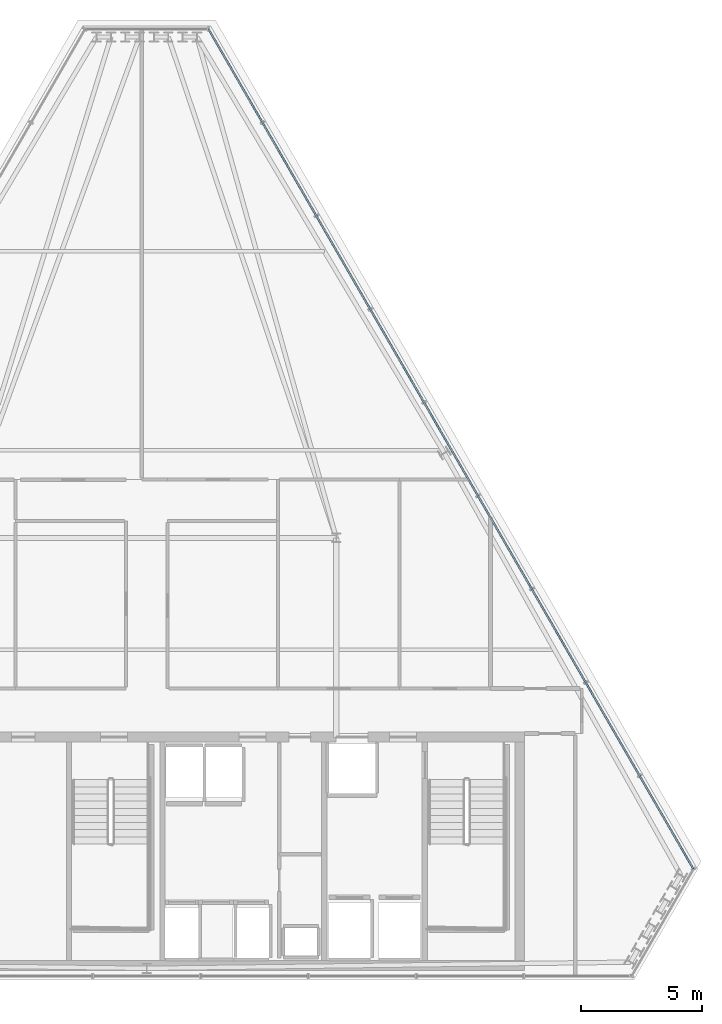
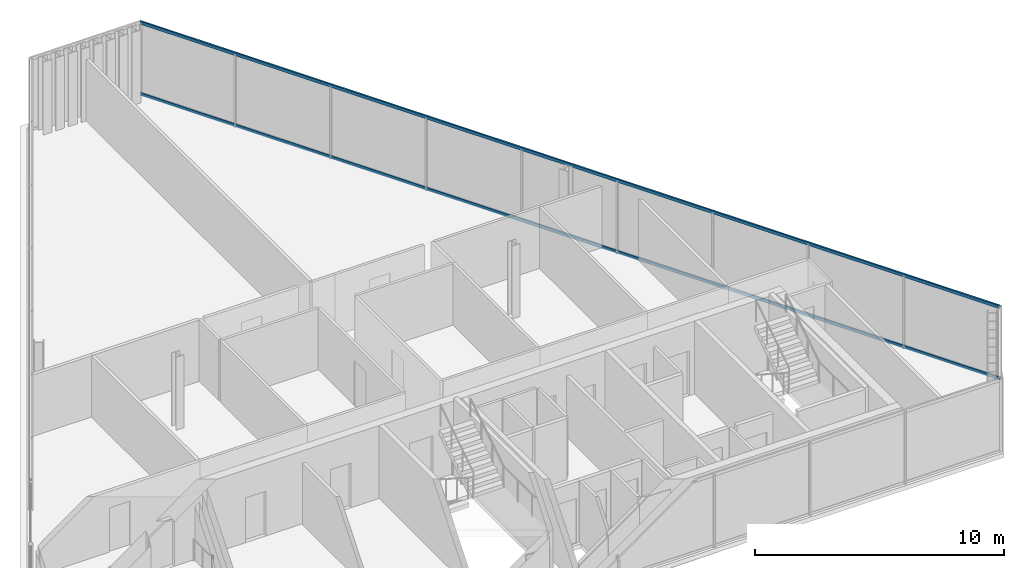
# One storey, part 26 of 35: 2 members, 1 element without a shape of its own.
"""IFC4 building model written with IfcOpenShell, lengths in metres."""

from ifc_helpers import new_model, si_unit, direction, frame, origin, origin_2d, place, context, subcontext, project, spatial, hollow_rectangle, extrude, material, layer, layer_set, material_profile, profile_set, type_object, element, aggregate, save


model = new_model("IFC4")

# Units and contexts
model_context = context("Model", 3, precision=1e-05, world=origin(), true_north=direction((0.0, 1.0)))
body_context = subcontext(model_context, "Body", "Model", "MODEL_VIEW")
ifc_project = project(units=[si_unit("LENGTHUNIT", "METRE"), si_unit("AREAUNIT", "SQUARE_METRE"), si_unit("VOLUMEUNIT", "CUBIC_METRE"), si_unit("PLANEANGLEUNIT", "RADIAN"), si_unit("MASSUNIT", "GRAM", prefix="KILO")], contexts=[model_context])

# Site, building, storey
site_placement = place(None, origin())
site = spatial("IfcSite", under=ifc_project, at=site_placement, CompositionType="ELEMENT")
building_placement = place(site_placement, origin())
building = spatial("IfcBuilding", under=site, at=building_placement, Name="Ndaravel Arena Tower", CompositionType="ELEMENT")
storey_placement = place(building_placement, frame((0.0, 0.0, 271.199951171875)))
storey = spatial("IfcBuildingStorey", under=building, at=storey_placement, Name="L66", CompositionType="ELEMENT", Elevation=271.199951171875)

# Curtain wall, members
ifc_material_1 = material(Name="Aluminium", Category="aluminium")
ifc_layer = layer(ifc_material_1, 0.179931640625)
ifc_layer_set = layer_set([ifc_layer], Name="Aluminium")
curtain_wall_type = type_object("IfcCurtainWallType", Name="CW-SYS-03", PredefinedType="NOTDEFINED", material=ifc_layer_set)
curtain_wall_placement = place(storey_placement, origin())
curtain_wall = element("IfcCurtainWall", 1, at=curtain_wall_placement, inside=storey, type_object=curtain_wall_type, Name="L66 Faceted Crystal Curtain Wall CW-L66-E03", PredefinedType="NOTDEFINED")
ifc_material_2 = material(Name="Aluminium", Category="aluminium")
ifc_material_profile = material_profile(ifc_material_2, hollow_rectangle(XDim=0.074951171875, YDim=0.14990234375, WallThickness=0.00390625, at=origin_2d()), Name="CW TRANSOM 75x150x4")
ifc_profile_set = profile_set([ifc_material_profile], Name="Aluminium")
member_type = type_object("IfcMemberType", Name="MEM-CW-TRN150", PredefinedType="USERDEFINED", material=ifc_profile_set)
member_1_placement = place(storey_placement, frame((64.50390625, 9.567626953125, 0.0400390625), z_axis=(-0.499996339024, 0.86602751744, 0.0), x_axis=(-0.86602751744, -0.499996339024, 0.0)))
member_1 = element("IfcMember", 2, at=member_1_placement, type_object=member_type, Name="CW-L66-E03 Transom 01", ObjectType="TRANSOM", PredefinedType="USERDEFINED", context=body_context, shape_type="SweptSolid", body=[
    extrude(hollow_rectangle(XDim=0.074951171875, YDim=0.14990234375, WallThickness=0.00390625, at=origin_2d()), origin(), (0.0, 0.0, 1.0), 39.918212890625),
])
member_2_placement = place(storey_placement, frame((64.50390625, 9.567626953125, 3.5400390625), z_axis=(-0.499996339024, 0.86602751744, 0.0), x_axis=(-0.86602751744, -0.499996339024, 0.0)))
member_2 = element("IfcMember", 3, at=member_2_placement, type_object=member_type, Name="CW-L66-E03 Transom 02", ObjectType="TRANSOM", PredefinedType="USERDEFINED", context=body_context, shape_type="SweptSolid", body=[
    extrude(hollow_rectangle(XDim=0.074951171875, YDim=0.14990234375, WallThickness=0.00390625, at=origin_2d()), origin(), (0.0, 0.0, 1.0), 39.918212890625),
])
aggregate(curtain_wall, [member_1, member_2])

save(model, "model.ifc")
